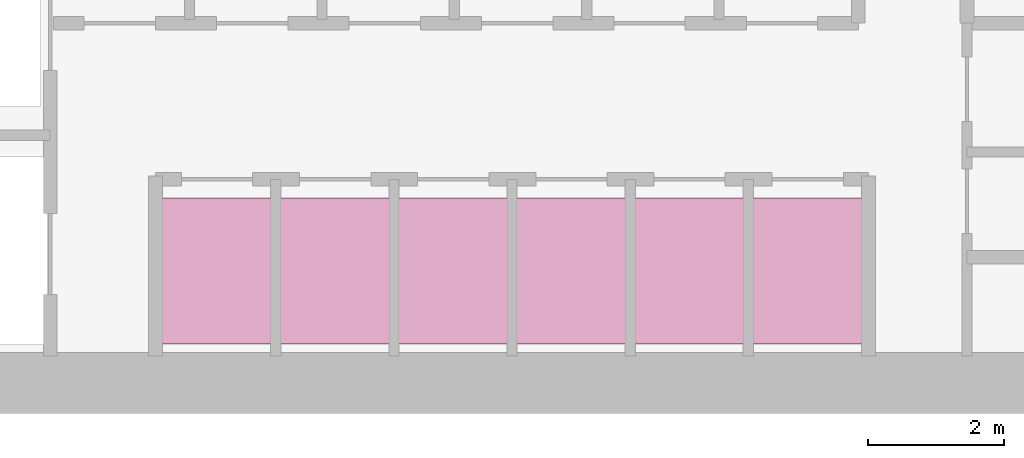
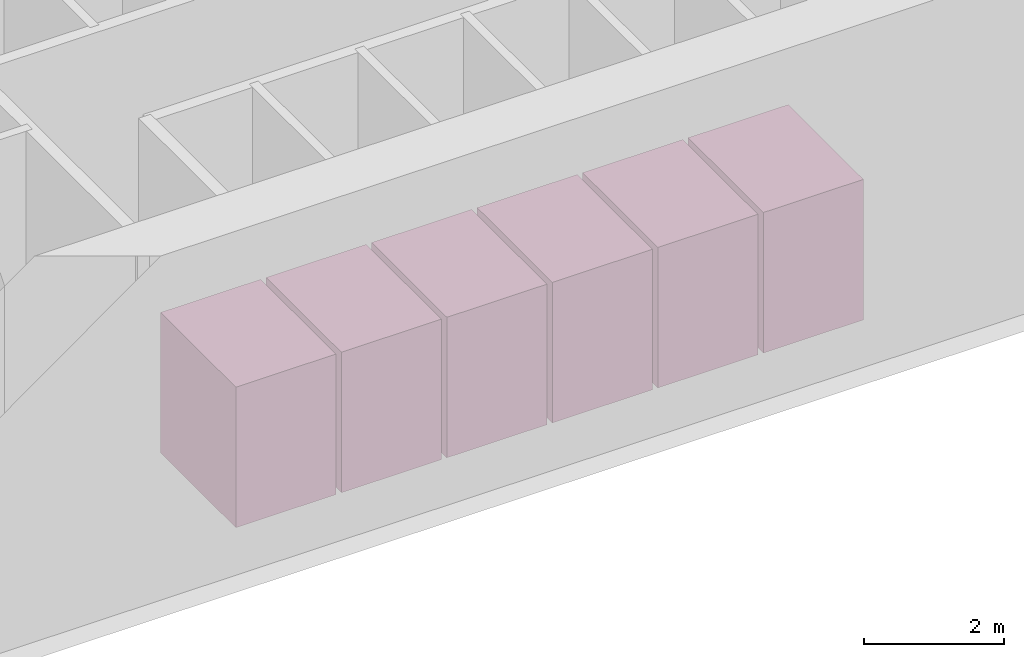
# One storey, part 25 of 25: 6 transport elements.
"""IFC4 building model written with IfcOpenShell, lengths in metres."""

from ifc_helpers import new_model, si_unit, derived_unit, direction, frame, origin, origin_2d, place, context, subcontext, project, spatial, rectangle, extrude, source, transform, mapped, material, type_object, element, save


model = new_model("IFC4")

# Units and contexts
model_context = context("Model", 3, precision=1e-05, world=origin(), true_north=direction((0.0, 1.0)))
body_context = subcontext(model_context, "Body", "Model", "MODEL_VIEW")
ifc_project = project(units=[si_unit("LENGTHUNIT", "METRE"), si_unit("AREAUNIT", "SQUARE_METRE"), si_unit("VOLUMEUNIT", "CUBIC_METRE"), si_unit("PLANEANGLEUNIT", "RADIAN"), si_unit("MASSUNIT", "GRAM", prefix="KILO"), derived_unit("THERMALTRANSMITTANCEUNIT", [(si_unit("POWERUNIT", "WATT"), 1), (si_unit("LENGTHUNIT", "METRE"), -2), (si_unit("THERMODYNAMICTEMPERATUREUNIT", "KELVIN"), -1)])], contexts=[model_context])

# Site, building, storey
site_placement = place(None, origin())
site = spatial("IfcSite", under=ifc_project, at=site_placement, CompositionType="ELEMENT")
building_placement = place(site_placement, origin())
building = spatial("IfcBuilding", under=site, at=building_placement, Name="Skarnbrae Concourse Arena and Tower", CompositionType="ELEMENT")
storey_placement = place(building_placement, origin())
storey = spatial("IfcBuildingStorey", under=building, at=storey_placement, Name="L00", CompositionType="ELEMENT", Elevation=0.0)

# Transport elements
ifc_material = material(Name="Brushed stainless steel elevator cab", Category="steel")
transport_element_type = type_object("IfcTransportElementType", Name="LIFT-PASS-1750X2150", PredefinedType="ELEVATOR", material=ifc_material)
shared_shape = source(origin(), body_context, "Body", "SweptSolid", [
    extrude(rectangle(XDim=1.64990234375, YDim=2.14990234375, at=origin_2d()), origin(), (0.0, 0.0, 1.0), 2.449951171875),
])
for number, where, z_axis, x_axis, name in (
    (1, (13.949951171875, 2.10009765625, 0.0), (0.0, 0.0, 1.0), (1.0, 0.0, 0.0), "Passenger Elevator PL-1A car"),
    (2, (15.68994140625, 2.10009765625, 0.0), (0.0, 0.0, 1.0), (1.0, 0.0, 0.0), "Passenger Elevator PL-1B car"),
    (3, (17.429931640625, 2.10009765625, 0.0), (0.0, 0.0, 1.0), (1.0, 0.0, 0.0), "Passenger Elevator PL-1C car"),
    (4, (19.169921875, 2.10009765625, 0.0), (0.0, 0.0, 1.0), (1.0, 0.0, 0.0), "Passenger Elevator PL-1D car"),
    (5, (20.909912109375, 2.10009765625, 0.0), (0.0, 0.0, 1.0), (1.0, 0.0, 0.0), "Passenger Elevator PL-1E car"),
    (6, (22.64990234375, 2.10009765625, 0.0), (0.0, 0.0, 1.0), (1.0, 0.0, 0.0), "Passenger Elevator PL-1F car"),
):
    element("IfcTransportElement", number, at=place(storey_placement, frame(where, z_axis=z_axis, x_axis=x_axis)), inside=storey, type_object=transport_element_type, Name=name, PredefinedType="ELEVATOR", context=body_context, shape_type="MappedRepresentation", body=[
        mapped(shared_shape, transform((0.0, 0.0, 0.0))),
    ])

save(model, "model.ifc")
